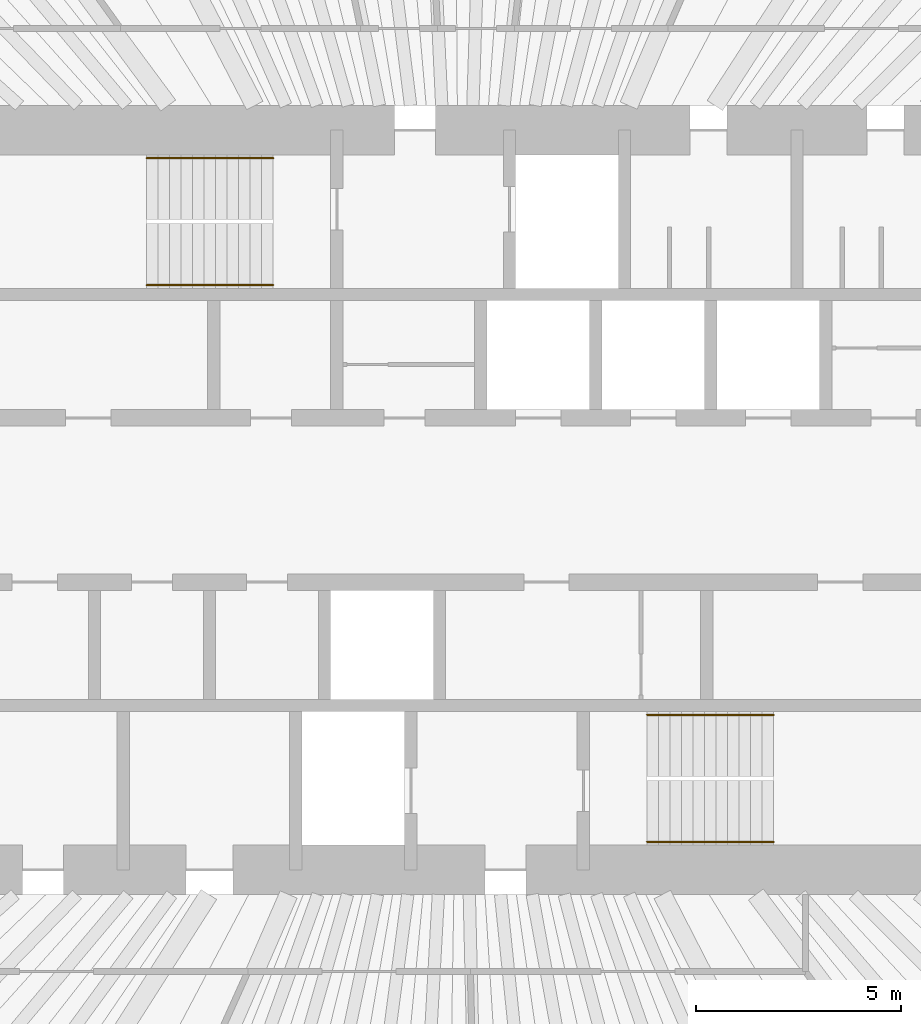
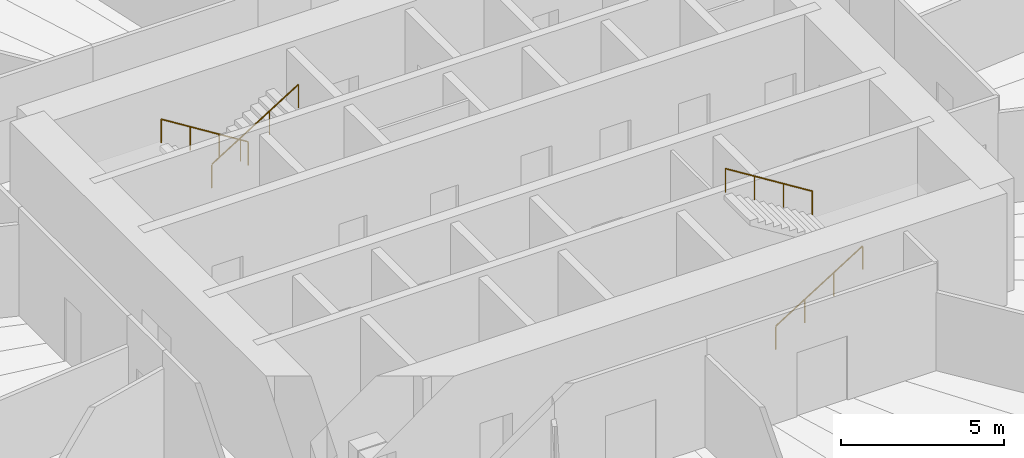
# One storey, part 14 of 14: 4 railings.
"""IFC4 building model written with IfcOpenShell, lengths in metres."""

import ifcopenshell
import ifcopenshell.guid

model = None  # the IFC model being written
_history = None  # IfcOwnerHistory: only IFC2X3 demands one
_inside = {}  # id of a spatial element -> (the spatial element, [elements in it])
_under = {}  # id of a project, library or spatial element -> (it, [spatial elements below it])
_declared = {}  # id of a project -> (the project, [libraries it declares])
_typed = {}  # id of a type object -> (the type object, [elements of that type])
_made_of = {}  # id of a material, layer set ... -> (it, [elements and type objects made of it])


def new_model(schema):
    """Start an empty IFC model of exactly this schema.

    Asked for "IFC4X3", IfcOpenShell would pick the latest addendum, in which some entities
    have other attributes; the version numbers below select the first issue.
    IFC2X3 requires an IfcOwnerHistory on every rooted entity: one is made here for all.
    """
    global model, _history
    if schema == "IFC4X3":
        model = ifcopenshell.file(schema_version=(4, 3, 0, 0))
    else:
        model = ifcopenshell.file(schema=schema)
    _inside.clear()
    _under.clear()
    _declared.clear()
    _typed.clear()
    _made_of.clear()
    _history = None
    if model.schema == "IFC2X3":
        org = make("IfcOrganization", Name="unknown")
        user = make(
            "IfcPersonAndOrganization",
            ThePerson=make("IfcPerson", FamilyName="unknown"),
            TheOrganization=org,
        )
        app = make(
            "IfcApplication",
            ApplicationDeveloper=org,
            Version="unknown",
            ApplicationFullName="unknown",
            ApplicationIdentifier="unknown",
        )
        _history = make(
            "IfcOwnerHistory",
            OwningUser=user,
            OwningApplication=app,
            ChangeAction="ADDED",
            CreationDate=0,
        )
    return model


def make(cls, **values):
    """One entity of the class cls with the attributes given. An attribute that is None is left unset."""
    return model.create_entity(
        cls, **{name: value for name, value in values.items() if value is not None}
    )


def rooted(cls, **values):
    """An entity with a GlobalId (a new one), such as an element, a storey or a relation."""
    return make(cls, GlobalId=ifcopenshell.guid.new(), OwnerHistory=_history, **values)


def si_unit(unit_type, name, prefix=None):
    """IfcSIUnit, for example si_unit("LENGTHUNIT", "METRE", prefix="MILLI")."""
    return make("IfcSIUnit", UnitType=unit_type, Prefix=prefix, Name=name)


def assignment(units):
    """IfcUnitAssignment: the units of a project."""
    return None if units is None else make("IfcUnitAssignment", Units=units)


def point(xyz):
    """IfcCartesianPoint."""
    return None if xyz is None else make("IfcCartesianPoint", Coordinates=xyz)


def direction(xyz):
    """IfcDirection."""
    return None if xyz is None else make("IfcDirection", DirectionRatios=xyz)


def frame(location, z_axis=None, x_axis=None):
    """IfcAxis2Placement3D, a coordinate frame: its origin and axes. An axis left out is left unset."""
    return make(
        "IfcAxis2Placement3D",
        Location=point(location),
        Axis=direction(z_axis),
        RefDirection=direction(x_axis),
    )


def frame_2d(location, x_axis=None):
    """IfcAxis2Placement2D, a coordinate frame in the plane: its origin and x axis."""
    return make(
        "IfcAxis2Placement2D", Location=point(location), RefDirection=direction(x_axis)
    )


def origin():
    """The frame at (0, 0, 0) with its axes left unset."""
    return frame((0.0, 0.0, 0.0))


def origin_2d():
    """The frame at (0, 0) in the plane with its x axis left unset."""
    return frame_2d((0.0, 0.0))


def place(relative_to, where):
    """IfcLocalPlacement: puts the frame where relative to a parent placement (None: the world)."""
    return make(
        "IfcLocalPlacement", PlacementRelTo=relative_to, RelativePlacement=where
    )


def context(
    kind, dimensions, precision=None, world=None, true_north=None, identifier=None
):
    """IfcGeometricRepresentationContext, for example the 3D "Model" context."""
    return make(
        "IfcGeometricRepresentationContext",
        ContextIdentifier=identifier,
        ContextType=kind,
        CoordinateSpaceDimension=dimensions,
        Precision=precision,
        WorldCoordinateSystem=world,
        TrueNorth=true_north,
    )


def subcontext(parent, identifier, kind, view, scale=None):
    """IfcGeometricRepresentationSubContext, for example "Body" below "Model"."""
    return make(
        "IfcGeometricRepresentationSubContext",
        ContextIdentifier=identifier,
        ContextType=kind,
        ParentContext=parent,
        TargetScale=scale,
        TargetView=view,
    )


def project(units=None, contexts=None):
    """IfcProject with its units and contexts."""
    return rooted(
        "IfcProject",
        Name="project",
        RepresentationContexts=contexts,
        UnitsInContext=assignment(units),
    )


def spatial(cls, under=None, at=None, **own):
    """A site, building, storey or space (cls), placed at a placement, below another one or the project."""
    s = rooted(cls, ObjectPlacement=at, **own)
    if under is not None:
        _under.setdefault(under.id(), (under, []))[1].append(s)
    return s


def profile(cls, at=None, kind="AREA", **sizes):
    """A parametric profile (cls). Its sizes go by their IFC names, for example OverallWidth=200.0."""
    return make(cls, ProfileType=kind, Position=at, **sizes)


def circle(**sizes):
    """IfcCircleProfileDef."""
    return profile("IfcCircleProfileDef", **sizes)


def extrude(swept, where, along, depth):
    """IfcExtrudedAreaSolid: the profile swept, set in the frame where, extruded along a direction by depth."""
    return make(
        "IfcExtrudedAreaSolid",
        SweptArea=swept,
        Position=where,
        ExtrudedDirection=direction(along),
        Depth=depth,
    )


def shape(context_of_items, identifier, shape_type, items):
    """IfcShapeRepresentation: the items that make up one representation, for example the "Body"."""
    return make(
        "IfcShapeRepresentation",
        ContextOfItems=context_of_items,
        RepresentationIdentifier=identifier,
        RepresentationType=shape_type,
        Items=items,
    )


def material(Name=None, Category=None):
    """IfcMaterial."""
    return make("IfcMaterial", Name=Name, Category=Category)


def made_of(thing, what):
    """Note that an element or type object is made of a material, layer set ...; save() writes the relation."""
    if what is not None:
        _made_of.setdefault(what.id(), (what, []))[1].append(thing)
    return thing


def type_object(cls, material=None, **own):
    """A type object (cls), such as IfcWallType, which elements share."""
    return made_of(rooted(cls, **own), material)


def element(
    cls,
    number,
    at=None,
    inside=None,
    cuts=None,
    type_object=None,
    material=None,
    context=None,
    identifier="Body",
    shape_type=None,
    held_by="IfcProductDefinitionShape",
    body=None,
    shapes=None,
    **own,
):
    """One element of the class cls, such as IfcWall. Its Tag is "e" and its number.

    at: its placement. inside: the storey or other place that contains it. cuts: it is an
    opening in that element (IfcRelVoidsElement). A single representation is given by context,
    identifier, shape_type and body (its items); several are given by shapes. held_by: the class
    of the entity that holds the representations. save() writes the other relations.
    """
    e = rooted(cls, Tag="e%d" % number, ObjectPlacement=at, **own)
    if body is not None:
        shapes = [shape(context, identifier, shape_type, body)]
    if shapes is not None:
        e.Representation = make(held_by, Representations=shapes)
    if inside is not None:
        _inside.setdefault(inside.id(), (inside, []))[1].append(e)
    if cuts is not None:
        rooted(
            "IfcRelVoidsElement", RelatingBuildingElement=cuts, RelatedOpeningElement=e
        )
    if type_object is not None:
        _typed.setdefault(type_object.id(), (type_object, []))[1].append(e)
    return made_of(e, material)


def aggregate(whole, parts):
    """IfcRelAggregates: a whole, such as a stair, and the parts it consists of."""
    return rooted("IfcRelAggregates", RelatingObject=whole, RelatedObjects=parts)


def save(model, path):
    """Write the relations noted so far, then the file.

    IfcRelAggregates (storeys below a building ...), IfcRelContainedInSpatialStructure (elements
    in a storey), IfcRelDefinesByType, IfcRelAssociatesMaterial and IfcRelDeclares: one each for
    every whole, place, type object, material and project.
    """
    for whole, parts in _under.values():
        aggregate(whole, parts)
    for where, things in _inside.values():
        rooted(
            "IfcRelContainedInSpatialStructure",
            RelatedElements=things,
            RelatingStructure=where,
        )
    for kind, things in _typed.values():
        rooted("IfcRelDefinesByType", RelatedObjects=things, RelatingType=kind)
    for what, things in _made_of.values():
        rooted("IfcRelAssociatesMaterial", RelatedObjects=things, RelatingMaterial=what)
    for by, libraries in _declared.values():
        rooted("IfcRelDeclares", RelatingContext=by, RelatedDefinitions=libraries)
    model.write(path)


model = new_model("IFC4")

# Units and contexts
model_context = context("Model", 3, precision=1e-05, world=origin(), true_north=direction((0.0, 1.0)))
body_context = subcontext(model_context, "Body", "Model", "MODEL_VIEW")
ifc_project = project(units=[si_unit("LENGTHUNIT", "METRE"), si_unit("AREAUNIT", "SQUARE_METRE"), si_unit("VOLUMEUNIT", "CUBIC_METRE"), si_unit("PLANEANGLEUNIT", "RADIAN"), si_unit("MASSUNIT", "GRAM", prefix="KILO")], contexts=[model_context])

# Site, building, storey
site_placement = place(None, origin())
site = spatial("IfcSite", under=ifc_project, at=site_placement, CompositionType="ELEMENT")
building_placement = place(site_placement, origin())
building = spatial("IfcBuilding", under=site, at=building_placement, Name="Qingtian Harvest Tower", CompositionType="ELEMENT")
storey_placement = place(building_placement, frame((0.0, 0.0, 201.39990234375)))
storey = spatial("IfcBuildingStorey", under=building, at=storey_placement, Name="L43", CompositionType="ELEMENT", Elevation=201.39990234375)

# Railings
ifc_material = material(Name="Stainless steel handrail", Category="steel")
railing_type = type_object("IfcRailingType", Name="Handrail HR1", PredefinedType="HANDRAIL", material=ifc_material)
railing_1_placement = place(storey_placement, frame((-4.550048828125, 8.320068359375, 0.175048828125)))
element("IfcRailing", 1, at=railing_1_placement, inside=storey, type_object=railing_type, Name="Handrail HR1 S1 flight 1", PredefinedType="HANDRAIL", context=body_context, shape_type="SweptSolid", body=[
    extrude(circle(Radius=0.02392578125, at=origin_2d()), frame((0.0, 0.0, 0.8759765625), z_axis=(-0.847979421464, 0.0, 0.530029150871), x_axis=(0.0, -1.0, 0.0)), (0.0, 0.0, 1.0), 3.632080078125),
    extrude(circle(Radius=0.02099609375, at=origin_2d()), origin(), (0.0, 0.0, 1.0), 0.851806640625),
    extrude(circle(Radius=0.02099609375, at=origin_2d()), frame((-1.026611328125, 0.0, 0.6416015625)), (0.0, 0.0, 1.0), 0.851806640625),
    extrude(circle(Radius=0.02099609375, at=origin_2d()), frame((-2.05322265625, 0.0, 1.283447265625)), (0.0, 0.0, 1.0), 0.851806640625),
    extrude(circle(Radius=0.02099609375, at=origin_2d()), frame((-3.079833984375, 0.0, 1.925048828125)), (0.0, 0.0, 1.0), 0.851806640625),
])
for number, where, name in (
    (2, (-7.6298828125, 5.22998046875, 2.275146484375), "Handrail HR1 S1 flight 2"),
    (3, (4.550048828125, -8.320068359375, 0.175048828125), "Handrail HR1 S2 flight 1"),
):
    element("IfcRailing", number, at=place(storey_placement, frame(where)), inside=storey, type_object=railing_type, Name=name, PredefinedType="HANDRAIL", context=body_context, shape_type="SweptSolid", body=[
        extrude(circle(Radius=0.02392578125, at=origin_2d()), frame((0.0, 0.0, 0.8759765625), z_axis=(0.847979421464, 0.0, 0.530029150871), x_axis=(0.0, 1.0, 0.0)), (0.0, 0.0, 1.0), 3.632080078125),
        extrude(circle(Radius=0.02099609375, at=origin_2d()), origin(), (0.0, 0.0, 1.0), 0.851806640625),
        extrude(circle(Radius=0.02099609375, at=origin_2d()), frame((1.026611328125, 0.0, 0.6416015625)), (0.0, 0.0, 1.0), 0.851806640625),
        extrude(circle(Radius=0.02099609375, at=origin_2d()), frame((2.05322265625, 0.0, 1.283447265625)), (0.0, 0.0, 1.0), 0.851806640625),
        extrude(circle(Radius=0.02099609375, at=origin_2d()), frame((3.079833984375, 0.0, 1.925048828125)), (0.0, 0.0, 1.0), 0.851806640625),
    ])
railing_2_placement = place(storey_placement, frame((7.6298828125, -5.22998046875, 2.275146484375)))
element("IfcRailing", 4, at=railing_2_placement, inside=storey, type_object=railing_type, Name="Handrail HR1 S2 flight 2", PredefinedType="HANDRAIL", context=body_context, shape_type="SweptSolid", body=[
    extrude(circle(Radius=0.02392578125, at=origin_2d()), frame((0.0, 0.0, 0.8759765625), z_axis=(-0.847979421464, 0.0, 0.530029150871), x_axis=(0.0, -1.0, 0.0)), (0.0, 0.0, 1.0), 3.632080078125),
    extrude(circle(Radius=0.02099609375, at=origin_2d()), origin(), (0.0, 0.0, 1.0), 0.851806640625),
    extrude(circle(Radius=0.02099609375, at=origin_2d()), frame((-1.026611328125, 0.0, 0.6416015625)), (0.0, 0.0, 1.0), 0.851806640625),
    extrude(circle(Radius=0.02099609375, at=origin_2d()), frame((-2.05322265625, 0.0, 1.283447265625)), (0.0, 0.0, 1.0), 0.851806640625),
    extrude(circle(Radius=0.02099609375, at=origin_2d()), frame((-3.079833984375, 0.0, 1.925048828125)), (0.0, 0.0, 1.0), 0.851806640625),
])

save(model, "model.ifc")
